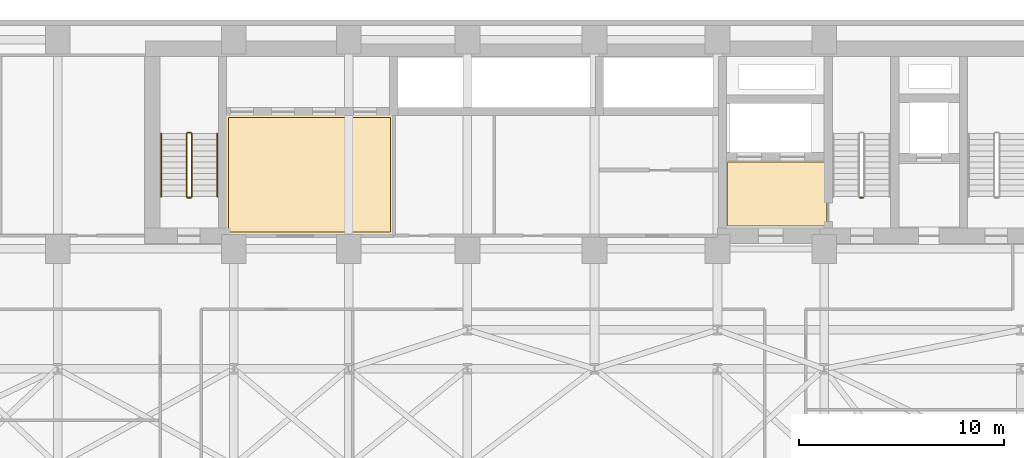
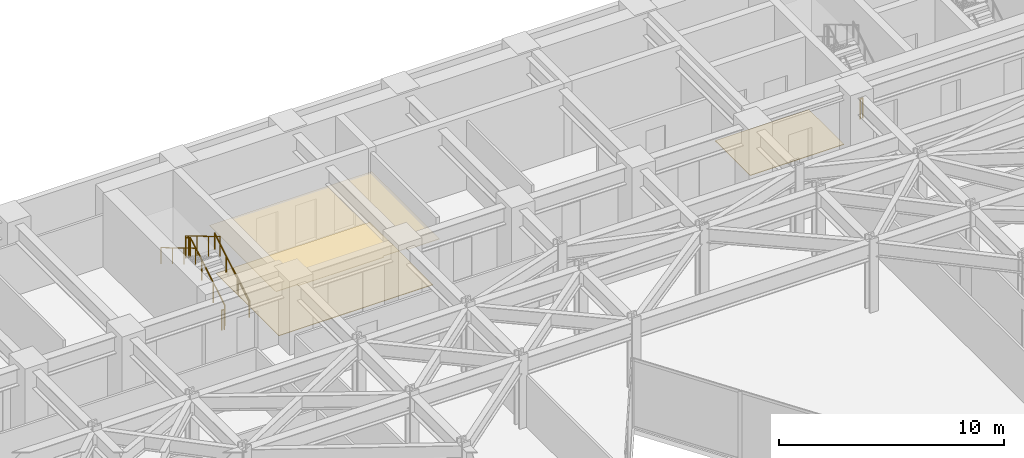
# One storey, part 24 of 25: 7 railings, 3 coverings.
"""IFC4 building model written with IfcOpenShell, lengths in metres."""

from ifc_helpers import new_model, si_unit, direction, frame, origin, origin_2d, place, context, subcontext, project, spatial, polyline, circle, outline, extrude, material, layer, layer_set, type_object, element, save


model = new_model("IFC4")

# Units and contexts
model_context = context("Model", 3, precision=1e-05, world=origin(), true_north=direction((0.0, 1.0)))
body_context = subcontext(model_context, "Body", "Model", "MODEL_VIEW")
ifc_project = project(units=[si_unit("LENGTHUNIT", "METRE"), si_unit("AREAUNIT", "SQUARE_METRE"), si_unit("VOLUMEUNIT", "CUBIC_METRE"), si_unit("PLANEANGLEUNIT", "RADIAN"), si_unit("MASSUNIT", "GRAM", prefix="KILO")], contexts=[model_context])

# Site, building, storey
site_placement = place(None, origin())
site = spatial("IfcSite", under=ifc_project, at=site_placement, CompositionType="ELEMENT")
building_placement = place(site_placement, origin())
building = spatial("IfcBuilding", under=site, at=building_placement, Name="Kravanh Interchange Tower", CompositionType="ELEMENT")
storey_placement = place(building_placement, frame((0.0, 0.0, 65.5)))
storey = spatial("IfcBuildingStorey", under=building, at=storey_placement, Name="L15", CompositionType="ELEMENT", Elevation=65.5)

# Coverings
ifc_material_1 = material(Name="Cementitious Terrazzo Tile")
ifc_layer_1 = layer(ifc_material_1, 0.030029296875)
ifc_layer_set_1 = layer_set([ifc_layer_1], Name="Honed Terrazzo Lobby Flooring 30mm")
covering_type_1 = type_object("IfcCoveringType", Name="Honed Terrazzo Lobby Flooring 30mm", PredefinedType="FLOORING", material=ifc_layer_set_1)
covering_1_placement = place(storey_placement, origin())
element("IfcCovering", 1, at=covering_1_placement, inside=storey, type_object=covering_type_1, Name="L15 Firefighting Lobby Floor Finish", PredefinedType="FLOORING", context=body_context, shape_type="SweptSolid", body=[
    extrude(outline(polyline([(56.1201171875, 38.4599609375), (51.300048828125, 38.4599609375), (51.300048828125, 41.580078125), (56.1201171875, 41.580078125), (56.1201171875, 38.4599609375)])), origin(), (0.0, 0.0, 1.0), 0.030029296875),
])
covering_2_placement = place(storey_placement, origin())
element("IfcCovering", 2, at=covering_2_placement, inside=storey, type_object=covering_type_1, Name="L15 Low-Rise Lift Lobby Floor Finish", PredefinedType="FLOORING", context=body_context, shape_type="SweptSolid", body=[
    extrude(outline(polyline([(26.929931640625, 43.77001953125), (34.840087890625, 43.77001953125), (34.840087890625, 38.179931640625), (26.929931640625, 38.179931640625), (26.929931640625, 43.77001953125)])), origin(), (0.0, 0.0, 1.0), 0.030029296875),
])
ifc_material_2 = material(Name="Acoustic Mineral Fibre Tile on Aluminium Grid", Category="aluminium")
ifc_layer_2 = layer(ifc_material_2, 0.02490234375)
ifc_layer_set_2 = layer_set([ifc_layer_2], Name="Perforated Acoustic Mineral Ceiling 25mm")
covering_type_2 = type_object("IfcCoveringType", Name="Perforated Acoustic Mineral Ceiling 25mm", PredefinedType="CEILING", material=ifc_layer_set_2)
covering_3_placement = place(storey_placement, frame((0.0, 0.0, 2.550048828125)))
element("IfcCovering", 3, at=covering_3_placement, inside=storey, type_object=covering_type_2, Name="L15 Low-Rise Lift Lobby Suspended Ceiling", PredefinedType="CEILING", context=body_context, shape_type="SweptSolid", body=[
    extrude(outline(polyline([(35.06005859375, 37.9599609375), (33.39990234375, 37.9599609375), (33.39990234375, 38.050048828125), (32.199951171875, 38.050048828125), (32.199951171875, 37.9599609375), (27.800048828125, 37.9599609375), (27.800048828125, 38.050048828125), (26.7099609375, 38.050048828125), (26.7099609375, 43.989990234375), (35.06005859375, 43.989990234375), (35.06005859375, 37.9599609375)])), origin(), (0.0, 0.0, 1.0), 0.02490234375),
])

# Railings
ifc_material_3 = material(Name="Structural Steel S355", Category="steel")
ifc_layer_3 = layer(ifc_material_3, 0.050048828125)
ifc_layer_set_3 = layer_set([ifc_layer_3], Name="Stair Well Guardrail Structural Steel S355 1100mm")
railing_type_1 = type_object("IfcRailingType", Name="Stair Well Guardrail Structural Steel S355 1100mm", PredefinedType="GUARDRAIL", material=ifc_layer_set_3)
railing_1_placement = place(storey_placement, frame((57.89990234375, 39.85009765625, 0.0)))
element("IfcRailing", 4, at=railing_1_placement, inside=storey, type_object=railing_type_1, Name="L15 ST2 stair guard 4", PredefinedType="GUARDRAIL", context=body_context, shape_type="SweptSolid", body=[
    extrude(circle(Radius=0.02392578125, at=origin_2d()), frame((0.0, 0.0, 1.076171875), z_axis=(-1.0, 0.0, 0.0), x_axis=(0.0, -1.0, 0.0)), (0.0, 0.0, 1.0), 0.14990234375),
    extrude(circle(Radius=0.02099609375, at=origin_2d()), origin(), (0.0, 0.0, 1.0), 1.052001953125),
    extrude(circle(Radius=0.02099609375, at=origin_2d()), frame((-0.14990234375, 0.0, 0.0)), (0.0, 0.0, 1.0), 1.052001953125),
])
railing_2_placement = place(storey_placement, frame((25.14990234375, 39.89990234375, 0.166748046875)))
element("IfcRailing", 5, at=railing_2_placement, inside=storey, type_object=railing_type_1, Name="L15 ST3 stair guard 1", PredefinedType="GUARDRAIL", context=body_context, shape_type="SweptSolid", body=[
    extrude(circle(Radius=0.02392578125, at=origin_2d()), frame((0.0, 0.0, 1.076171875), z_axis=(0.0, 0.859308565015, 0.511457515432), x_axis=(-1.0, 0.0, 0.0)), (0.0, 0.0, 1.0), 3.58447265625),
    extrude(circle(Radius=0.02099609375, at=origin_2d()), origin(), (0.0, 0.0, 1.0), 1.052001953125),
    extrude(circle(Radius=0.02099609375, at=origin_2d()), frame((0.0, 1.026611328125, 0.611083984375)), (0.0, 0.0, 1.0), 1.052001953125),
    extrude(circle(Radius=0.02099609375, at=origin_2d()), frame((0.0, 2.053466796875, 1.22216796875)), (0.0, 0.0, 1.0), 1.052001953125),
    extrude(circle(Radius=0.02099609375, at=origin_2d()), frame((0.0, 3.080078125, 1.833251953125)), (0.0, 0.0, 1.0), 1.052001953125),
])
railing_3_placement = place(storey_placement, frame((25.10009765625, 43.030029296875, 2.0)))
element("IfcRailing", 6, at=railing_3_placement, inside=storey, type_object=railing_type_1, Name="L15 ST3 stair guard 2", PredefinedType="GUARDRAIL", context=body_context, shape_type="SweptSolid", body=[
    extrude(circle(Radius=0.02392578125, at=origin_2d()), frame((0.0, 0.0, 1.076171875), z_axis=(-1.0, 0.0, 0.0), x_axis=(0.0, -1.0, 0.0)), (0.0, 0.0, 1.0), 0.150146484375),
    extrude(circle(Radius=0.02099609375, at=origin_2d()), origin(), (0.0, 0.0, 1.0), 1.052001953125),
    extrude(circle(Radius=0.02099609375, at=origin_2d()), frame((-0.150146484375, 0.0, 0.0)), (0.0, 0.0, 1.0), 1.052001953125),
])
railing_4_placement = place(storey_placement, frame((24.89990234375, 42.97998046875, 2.166748046875)))
element("IfcRailing", 7, at=railing_4_placement, inside=storey, type_object=railing_type_1, Name="L15 ST3 stair guard 3", PredefinedType="GUARDRAIL", context=body_context, shape_type="SweptSolid", body=[
    extrude(circle(Radius=0.02392578125, at=origin_2d()), frame((0.0, 0.0, 1.076171875), z_axis=(0.0, -0.859308565015, 0.511457515432), x_axis=(1.0, 0.0, 0.0)), (0.0, 0.0, 1.0), 3.58447265625),
    extrude(circle(Radius=0.02099609375, at=origin_2d()), origin(), (0.0, 0.0, 1.0), 1.052001953125),
    extrude(circle(Radius=0.02099609375, at=origin_2d()), frame((0.0, -1.026611328125, 0.611083984375)), (0.0, 0.0, 1.0), 1.052001953125),
    extrude(circle(Radius=0.02099609375, at=origin_2d()), frame((0.0, -2.053466796875, 1.22216796875)), (0.0, 0.0, 1.0), 1.052001953125),
    extrude(circle(Radius=0.02099609375, at=origin_2d()), frame((0.0, -3.080078125, 1.833251953125)), (0.0, 0.0, 1.0), 1.052001953125),
])
railing_5_placement = place(storey_placement, frame((25.10009765625, 39.85009765625, 0.0)))
element("IfcRailing", 8, at=railing_5_placement, inside=storey, type_object=railing_type_1, Name="L15 ST3 stair guard 4", PredefinedType="GUARDRAIL", context=body_context, shape_type="SweptSolid", body=[
    extrude(circle(Radius=0.02392578125, at=origin_2d()), frame((0.0, 0.0, 1.076171875), z_axis=(-1.0, 0.0, 0.0), x_axis=(0.0, -1.0, 0.0)), (0.0, 0.0, 1.0), 0.150146484375),
    extrude(circle(Radius=0.02099609375, at=origin_2d()), origin(), (0.0, 0.0, 1.0), 1.052001953125),
    extrude(circle(Radius=0.02099609375, at=origin_2d()), frame((-0.150146484375, 0.0, 0.0)), (0.0, 0.0, 1.0), 1.052001953125),
])
ifc_material_4 = material(Name="Stainless Steel 304", Category="steel")
ifc_layer_4 = layer(ifc_material_4, 0.044921875)
ifc_layer_set_4 = layer_set([ifc_layer_4], Name="Tubular Stair Handrail Stainless 304 900mm")
railing_type_2 = type_object("IfcRailingType", Name="Tubular Stair Handrail Stainless 304 900mm", PredefinedType="HANDRAIL", material=ifc_layer_set_4)
railing_6_placement = place(storey_placement, frame((26.39990234375, 39.89990234375, 0.166748046875)))
element("IfcRailing", 9, at=railing_6_placement, inside=storey, type_object=railing_type_2, Name="L15 ST3 stair handrail 1", PredefinedType="HANDRAIL", context=body_context, shape_type="SweptSolid", body=[
    extrude(circle(Radius=0.02392578125, at=origin_2d()), frame((0.0, 0.0, 0.8759765625), z_axis=(0.0, 0.859308565015, 0.511457515432), x_axis=(-1.0, 0.0, 0.0)), (0.0, 0.0, 1.0), 3.58447265625),
    extrude(circle(Radius=0.02099609375, at=origin_2d()), origin(), (0.0, 0.0, 1.0), 0.851806640625),
    extrude(circle(Radius=0.02099609375, at=origin_2d()), frame((0.0, 1.026611328125, 0.611083984375)), (0.0, 0.0, 1.0), 0.851806640625),
    extrude(circle(Radius=0.02099609375, at=origin_2d()), frame((0.0, 2.053466796875, 1.22216796875)), (0.0, 0.0, 1.0), 0.851806640625),
    extrude(circle(Radius=0.02099609375, at=origin_2d()), frame((0.0, 3.080078125, 1.833251953125)), (0.0, 0.0, 1.0), 0.851806640625),
])
railing_7_placement = place(storey_placement, frame((23.64990234375, 42.97998046875, 2.166748046875)))
element("IfcRailing", 10, at=railing_7_placement, inside=storey, type_object=railing_type_2, Name="L15 ST3 stair handrail 2", PredefinedType="HANDRAIL", context=body_context, shape_type="SweptSolid", body=[
    extrude(circle(Radius=0.02392578125, at=origin_2d()), frame((0.0, 0.0, 0.8759765625), z_axis=(0.0, -0.859308565015, 0.511457515432), x_axis=(1.0, 0.0, 0.0)), (0.0, 0.0, 1.0), 3.58447265625),
    extrude(circle(Radius=0.02099609375, at=origin_2d()), origin(), (0.0, 0.0, 1.0), 0.851806640625),
    extrude(circle(Radius=0.02099609375, at=origin_2d()), frame((0.0, -1.026611328125, 0.611083984375)), (0.0, 0.0, 1.0), 0.851806640625),
    extrude(circle(Radius=0.02099609375, at=origin_2d()), frame((0.0, -2.053466796875, 1.22216796875)), (0.0, 0.0, 1.0), 0.851806640625),
    extrude(circle(Radius=0.02099609375, at=origin_2d()), frame((0.0, -3.080078125, 1.833251953125)), (0.0, 0.0, 1.0), 0.851806640625),
])

save(model, "model.ifc")
